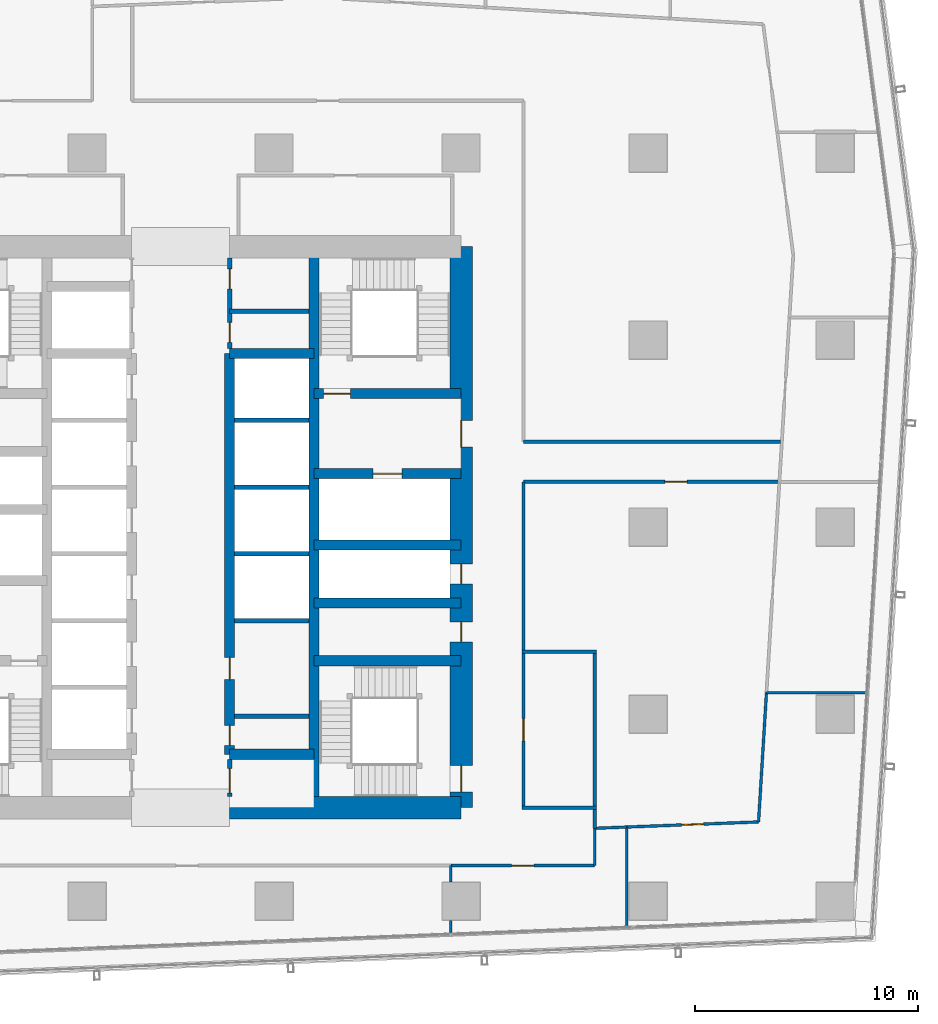
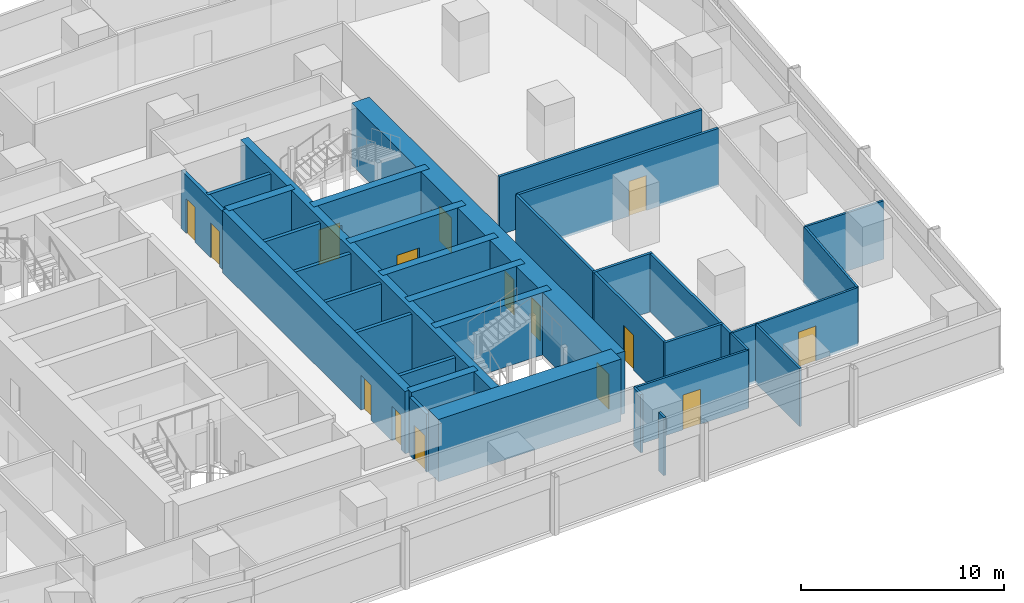
# One storey, part 30 of 40: 36 walls, 15 doors, 15 openings.
"""IFC4 building model written with IfcOpenShell, lengths in metres."""

from ifc_helpers import new_model, si_unit, direction, frame, frame_2d, origin, place, context, subcontext, project, spatial, rectangle, extrude, material, layer, layer_set, type_object, element, fill, save


model = new_model("IFC4")

# Units and contexts
model_context = context("Model", 3, precision=1e-05, world=origin(), true_north=direction((0.0, 1.0)))
body_context = subcontext(model_context, "Body", "Model", "MODEL_VIEW")
ifc_project = project(units=[si_unit("LENGTHUNIT", "METRE"), si_unit("AREAUNIT", "SQUARE_METRE"), si_unit("VOLUMEUNIT", "CUBIC_METRE"), si_unit("PLANEANGLEUNIT", "RADIAN"), si_unit("MASSUNIT", "GRAM", prefix="KILO")], contexts=[model_context])

# Site, building, storey
site_placement = place(None, origin())
site = spatial("IfcSite", under=ifc_project, at=site_placement, CompositionType="ELEMENT")
building_placement = place(site_placement, origin())
building = spatial("IfcBuilding", under=site, at=building_placement, Name="Rekha Terrace Tower", CompositionType="ELEMENT")
storey_placement = place(building_placement, frame((0.0, 0.0, 106.550048828125)))
storey = spatial("IfcBuildingStorey", under=building, at=storey_placement, Name="L26", CompositionType="ELEMENT", Elevation=106.550048828125)

# Wall
ifc_material_1 = material(Name="Concrete M70", Category="concrete")
ifc_layer_1 = layer(ifc_material_1, 0.449951171875)
ifc_layer_set_1 = layer_set([ifc_layer_1], Name="Concrete M70")
wall_type_1 = type_object("IfcWallType", Name="CI2 450 core internal shear wall", PredefinedType="SHEAR", material=ifc_layer_set_1)
wall_1_placement = place(storey_placement, frame((43.800048828125, 21.0, 0.0), z_axis=(0.0, 0.0, 1.0), x_axis=(0.0, 1.0, 0.0)))
element("IfcWall", 1, at=wall_1_placement, inside=storey, type_object=wall_type_1, Name="Core wall X438 L26", PredefinedType="SHEAR", context=body_context, shape_type="SweptSolid", body=[
    extrude(rectangle(XDim=25.199951171875, YDim=0.449951171875, at=frame_2d((12.60009765625, 0.0))), origin(), (0.0, 0.0, 1.0), 3.75),
])

# Wall, openings, doors
wall_2_placement = place(storey_placement, frame((40.0, 23.39990234375, 0.0), z_axis=(0.0, 0.0, 1.0), x_axis=(0.0, 1.0, 0.0)))
wall_2 = element("IfcWall", 2, at=wall_2_placement, inside=storey, type_object=wall_type_1, Name="Core wall X400 L26", PredefinedType="SHEAR", context=body_context, shape_type="SweptSolid", body=[
    extrude(rectangle(XDim=18.0, YDim=0.449951171875, at=frame_2d((9.0, 0.0))), origin(), (0.0, 0.0, 1.0), 3.75),
])
opening_1_placement = place(wall_2_placement, frame((0.39990234375, 0.0, 0.0)))
opening_1 = element("IfcOpeningElement", 3, at=opening_1_placement, cuts=wall_2, Name="Opening D5", PredefinedType="OPENING", context=body_context, shape_type="SweptSolid", body=[
    extrude(rectangle(XDim=0.89990234375, YDim=2.10009765625, at=frame_2d((0.449951171875, 1.050048828125))), frame((0.0, 0.23486328125, 0.0), z_axis=(0.0, -1.0, 0.0), x_axis=(1.0, 0.0, 0.0)), (0.0, 0.0, 1.0), 0.469970703125),
])
opening_2_placement = place(wall_2_placement, frame((3.35009765625, 0.0, 0.0)))
opening_2 = element("IfcOpeningElement", 4, at=opening_2_placement, cuts=wall_2, Name="Opening D9", PredefinedType="OPENING", context=body_context, shape_type="SweptSolid", body=[
    extrude(rectangle(XDim=1.0, YDim=2.10009765625, at=frame_2d((0.5, 1.050048828125))), frame((0.0, 0.23486328125, 0.0), z_axis=(0.0, -1.0, 0.0), x_axis=(1.0, 0.0, 0.0)), (0.0, 0.0, 1.0), 0.469970703125),
])
ifc_material_2 = material(Name="Steel fire door", Category="steel")
door_type_1 = type_object("IfcDoorType", Name="D5 900x2100 riser access door", OperationType="SINGLE_SWING_LEFT", PredefinedType="DOOR", material=ifc_material_2)
door_1_placement = place(opening_1_placement, origin())
door_1 = element("IfcDoor", 5, at=door_1_placement, inside=storey, type_object=door_type_1, Name="Door records store L26", OperationType="SINGLE_SWING_LEFT", OverallHeight=2.10009765625, OverallWidth=0.89990234375, PredefinedType="DOOR", context=body_context, shape_type="SweptSolid", body=[
    extrude(rectangle(XDim=0.89990234375, YDim=2.10009765625, at=frame_2d((0.449951171875, 1.050048828125))), frame((0.0, 0.02490234375, 0.0), z_axis=(0.0, -1.0, 0.0), x_axis=(1.0, 0.0, 0.0)), (0.0, 0.0, 1.0), 0.050048828125),
])
fill(opening_1, door_1)
ifc_material_3 = material(Name="Timber fire door", Category="wood")
door_type_2 = type_object("IfcDoorType", Name="D9 1000x2100 office door", OperationType="SINGLE_SWING_LEFT", PredefinedType="DOOR", material=ifc_material_3)
door_2_placement = place(opening_2_placement, origin())
door_2 = element("IfcDoor", 6, at=door_2_placement, inside=storey, type_object=door_type_2, Name="Door pantry and vending room L26", OperationType="SINGLE_SWING_LEFT", OverallHeight=2.10009765625, OverallWidth=1.0, PredefinedType="DOOR", context=body_context, shape_type="SweptSolid", body=[
    extrude(rectangle(XDim=1.0, YDim=2.10009765625, at=frame_2d((0.5, 1.050048828125))), frame((0.0, 0.02490234375, 0.0), z_axis=(0.0, -1.0, 0.0), x_axis=(1.0, 0.0, 0.0)), (0.0, 0.0, 1.0), 0.050048828125),
])
fill(opening_2, door_2)

# Walls
for number, where, z_axis, x_axis, name in (
    (7, (40.0, 23.39990234375, 0.0), (0.0, 0.0, 1.0), (1.0, 0.0, 0.0), "Core wall Y234E L26"),
    (8, (40.0, 41.39990234375, 0.0), (0.0, 0.0, 1.0), (1.0, 0.0, 0.0), "Core wall Y414E L26"),
):
    element("IfcWall", number, at=place(storey_placement, frame(where, z_axis=z_axis, x_axis=x_axis)), inside=storey, type_object=wall_type_1, Name=name, PredefinedType="SHEAR", context=body_context, shape_type="SweptSolid", body=[
        extrude(rectangle(XDim=3.800048828125, YDim=0.449951171875, at=frame_2d((1.89990234375, 0.0))), origin(), (0.0, 0.0, 1.0), 3.75),
    ])
for number, where, z_axis, x_axis, name in (
    (9, (43.800048828125, 27.60009765625, 0.0), (0.0, 0.0, 1.0), (1.0, 0.0, 0.0), "Core wall Y276E L26"),
    (10, (43.800048828125, 30.199951171875, 0.0), (0.0, 0.0, 1.0), (1.0, 0.0, 0.0), "Core wall Y302E L26"),
    (11, (43.800048828125, 32.800048828125, 0.0), (0.0, 0.0, 1.0), (1.0, 0.0, 0.0), "Core wall Y328E L26"),
):
    element("IfcWall", number, at=place(storey_placement, frame(where, z_axis=z_axis, x_axis=x_axis)), inside=storey, type_object=wall_type_1, Name=name, PredefinedType="SHEAR", context=body_context, shape_type="SweptSolid", body=[
        extrude(rectangle(XDim=6.599853515625, YDim=0.449951171875, at=frame_2d((3.2998046875, 0.0))), origin(), (0.0, 0.0, 1.0), 3.75),
    ])

# Wall, opening, door
wall_3_placement = place(storey_placement, frame((43.800048828125, 36.0, 0.0), z_axis=(0.0, 0.0, 1.0), x_axis=(1.0, 0.0, 0.0)))
wall_3 = element("IfcWall", 12, at=wall_3_placement, inside=storey, type_object=wall_type_1, Name="Core wall Y360E L26", PredefinedType="SHEAR", context=body_context, shape_type="SweptSolid", body=[
    extrude(rectangle(XDim=6.599853515625, YDim=0.449951171875, at=frame_2d((3.2998046875, 0.0))), origin(), (0.0, 0.0, 1.0), 3.75),
])
opening_3_placement = place(wall_3_placement, frame((2.64990234375, 0.0, 0.0)))
opening_3 = element("IfcOpeningElement", 13, at=opening_3_placement, cuts=wall_3, Name="Opening LD2", PredefinedType="OPENING", context=body_context, shape_type="SweptSolid", body=[
    extrude(rectangle(XDim=1.300048828125, YDim=2.10009765625, at=frame_2d((0.64990234375, 1.050048828125))), frame((0.0, 0.23486328125, 0.0), z_axis=(0.0, -1.0, 0.0), x_axis=(1.0, 0.0, 0.0)), (0.0, 0.0, 1.0), 0.469970703125),
])
ifc_material_4 = material(Name="Stainless steel sliding landing door", Category="steel")
door_type_3 = type_object("IfcDoorType", Name="LD2 1300x2100 fire lift landing door", OperationType="SLIDING_TO_LEFT", PredefinedType="USERDEFINED", material=ifc_material_4)
door_3_placement = place(opening_3_placement, origin())
door_3 = element("IfcDoor", 14, at=door_3_placement, inside=storey, type_object=door_type_3, Name="Lift FL2 landing door L26", ObjectType="LIFT LANDING DOOR", OperationType="SLIDING_TO_LEFT", OverallHeight=2.10009765625, OverallWidth=1.300048828125, PredefinedType="USERDEFINED", context=body_context, shape_type="SweptSolid", body=[
    extrude(rectangle(XDim=1.300048828125, YDim=2.10009765625, at=frame_2d((0.64990234375, 1.050048828125))), frame((0.0, 0.02490234375, 0.0), z_axis=(0.0, -1.0, 0.0), x_axis=(1.0, 0.0, 0.0)), (0.0, 0.0, 1.0), 0.050048828125),
])
fill(opening_3, door_3)

wall_4_placement = place(storey_placement, frame((43.800048828125, 39.60009765625, 0.0), z_axis=(0.0, 0.0, 1.0), x_axis=(1.0, 0.0, 0.0)))
wall_4 = element("IfcWall", 15, at=wall_4_placement, inside=storey, type_object=wall_type_1, Name="Core wall Y396E L26", PredefinedType="SHEAR", context=body_context, shape_type="SweptSolid", body=[
    extrude(rectangle(XDim=6.599853515625, YDim=0.449951171875, at=frame_2d((3.2998046875, 0.0))), origin(), (0.0, 0.0, 1.0), 3.75),
])
opening_4_placement = place(wall_4_placement, frame((0.425048828125, 0.0, 0.0)))
opening_4 = element("IfcOpeningElement", 16, at=opening_4_placement, cuts=wall_4, Name="Opening D1", PredefinedType="OPENING", context=body_context, shape_type="SweptSolid", body=[
    extrude(rectangle(XDim=1.199951171875, YDim=2.10009765625, at=frame_2d((0.60009765625, 1.050048828125))), frame((0.0, 0.23486328125, 0.0), z_axis=(0.0, -1.0, 0.0), x_axis=(1.0, 0.0, 0.0)), (0.0, 0.0, 1.0), 0.469970703125),
])
door_type_4 = type_object("IfcDoorType", Name="D1 1200x2100 stair fire door", OperationType="SINGLE_SWING_RIGHT", PredefinedType="DOOR", material=ifc_material_2)
door_4_placement = place(opening_4_placement, origin())
door_4 = element("IfcDoor", 17, at=door_4_placement, inside=storey, type_object=door_type_4, Name="Stair ST2 door L26", OperationType="SINGLE_SWING_RIGHT", OverallHeight=2.10009765625, OverallWidth=1.199951171875, PredefinedType="DOOR", context=body_context, shape_type="SweptSolid", body=[
    extrude(rectangle(XDim=1.199951171875, YDim=2.10009765625, at=frame_2d((0.60009765625, 1.050048828125))), frame((0.0, 0.02490234375, 0.0), z_axis=(0.0, -1.0, 0.0), x_axis=(1.0, 0.0, 0.0)), (0.0, 0.0, 1.0), 0.050048828125),
])
fill(opening_4, door_4)

# Wall
ifc_layer_2 = layer(ifc_material_1, 1.0)
ifc_layer_set_2 = layer_set([ifc_layer_2], Name="Concrete M70")
wall_type_2 = type_object("IfcWallType", Name="SW2 1000 core outer shear wall", PredefinedType="SHEAR", material=ifc_layer_set_2)
wall_5_placement = place(storey_placement, frame((40.0, 21.0, 0.0), z_axis=(0.0, 0.0, 1.0), x_axis=(1.0, 0.0, 0.0)))
element("IfcWall", 18, at=wall_5_placement, inside=storey, type_object=wall_type_2, Name="Core wall S2 L26", PredefinedType="SHEAR", context=body_context, shape_type="SweptSolid", body=[
    extrude(rectangle(XDim=10.39990234375, YDim=1.0, at=frame_2d((5.199951171875, 0.0))), origin(), (0.0, 0.0, 1.0), 3.75),
])

# Wall, openings, doors
wall_6_placement = place(storey_placement, frame((50.39990234375, 21.0, 0.0), z_axis=(0.0, 0.0, 1.0), x_axis=(0.0, 1.0, 0.0)))
wall_6 = element("IfcWall", 19, at=wall_6_placement, inside=storey, type_object=wall_type_2, Name="Core wall E L26", PredefinedType="SHEAR", context=body_context, shape_type="SweptSolid", body=[
    extrude(rectangle(XDim=25.199951171875, YDim=1.0, at=frame_2d((12.60009765625, 0.0))), origin(), (0.0, 0.0, 1.0), 3.75),
])
opening_5_placement = place(wall_6_placement, frame((16.199951171875, 0.0, 0.0)))
opening_5 = element("IfcOpeningElement", 20, at=opening_5_placement, cuts=wall_6, Name="Opening D2", PredefinedType="OPENING", context=body_context, shape_type="SweptSolid", body=[
    extrude(rectangle(XDim=1.199951171875, YDim=2.10009765625, at=frame_2d((0.60009765625, 1.050048828125))), frame((0.0, 0.510009765625, 0.0), z_axis=(0.0, -1.0, 0.0), x_axis=(1.0, 0.0, 0.0)), (0.0, 0.0, 1.0), 1.02001953125),
])
opening_6_placement = place(wall_6_placement, frame((10.050048828125, 0.0, 0.0)))
opening_6 = element("IfcOpeningElement", 21, at=opening_6_placement, cuts=wall_6, Name="Opening D5", PredefinedType="OPENING", context=body_context, shape_type="SweptSolid", body=[
    extrude(rectangle(XDim=0.89990234375, YDim=2.10009765625, at=frame_2d((0.449951171875, 1.050048828125))), frame((0.0, 0.510009765625, 0.0), z_axis=(0.0, -1.0, 0.0), x_axis=(1.0, 0.0, 0.0)), (0.0, 0.0, 1.0), 1.02001953125),
])
opening_7_placement = place(wall_6_placement, frame((7.449951171875, 0.0, 0.0)))
opening_7 = element("IfcOpeningElement", 22, at=opening_7_placement, cuts=wall_6, Name="Opening D5", PredefinedType="OPENING", context=body_context, shape_type="SweptSolid", body=[
    extrude(rectangle(XDim=0.89990234375, YDim=2.10009765625, at=frame_2d((0.449951171875, 1.050048828125))), frame((0.0, 0.510009765625, 0.0), z_axis=(0.0, -1.0, 0.0), x_axis=(1.0, 0.0, 0.0)), (0.0, 0.0, 1.0), 1.02001953125),
])
opening_8_placement = place(wall_6_placement, frame((0.699951171875, 0.0, 0.0)))
opening_8 = element("IfcOpeningElement", 23, at=opening_8_placement, cuts=wall_6, Name="Opening D1", PredefinedType="OPENING", context=body_context, shape_type="SweptSolid", body=[
    extrude(rectangle(XDim=1.199951171875, YDim=2.10009765625, at=frame_2d((0.60009765625, 1.050048828125))), frame((0.0, 0.510009765625, 0.0), z_axis=(0.0, -1.0, 0.0), x_axis=(1.0, 0.0, 0.0)), (0.0, 0.0, 1.0), 1.02001953125),
])
door_5_placement = place(opening_8_placement, origin())
door_5 = element("IfcDoor", 24, at=door_5_placement, inside=storey, type_object=door_type_4, Name="Stair ST3 door L26", OperationType="SINGLE_SWING_RIGHT", OverallHeight=2.10009765625, OverallWidth=1.199951171875, PredefinedType="DOOR", context=body_context, shape_type="SweptSolid", body=[
    extrude(rectangle(XDim=1.199951171875, YDim=2.10009765625, at=frame_2d((0.60009765625, 1.050048828125))), frame((0.0, 0.02490234375, 0.0), z_axis=(0.0, -1.0, 0.0), x_axis=(1.0, 0.0, 0.0)), (0.0, 0.0, 1.0), 0.050048828125),
])
fill(opening_8, door_5)
door_type_5 = type_object("IfcDoorType", Name="D2 1200x2100 firefighting lobby door", OperationType="SINGLE_SWING_LEFT", PredefinedType="DOOR", material=ifc_material_2)
door_6_placement = place(opening_5_placement, origin())
door_6 = element("IfcDoor", 25, at=door_6_placement, inside=storey, type_object=door_type_5, Name="Door flb2 L26", OperationType="SINGLE_SWING_LEFT", OverallHeight=2.10009765625, OverallWidth=1.199951171875, PredefinedType="DOOR", context=body_context, shape_type="SweptSolid", body=[
    extrude(rectangle(XDim=1.199951171875, YDim=2.10009765625, at=frame_2d((0.60009765625, 1.050048828125))), frame((0.0, 0.02490234375, 0.0), z_axis=(0.0, -1.0, 0.0), x_axis=(1.0, 0.0, 0.0)), (0.0, 0.0, 1.0), 0.050048828125),
])
fill(opening_5, door_6)
door_7_placement = place(opening_6_placement, origin())
door_7 = element("IfcDoor", 26, at=door_7_placement, inside=storey, type_object=door_type_1, Name="Door rs2 L26", OperationType="SINGLE_SWING_LEFT", OverallHeight=2.10009765625, OverallWidth=0.89990234375, PredefinedType="DOOR", context=body_context, shape_type="SweptSolid", body=[
    extrude(rectangle(XDim=0.89990234375, YDim=2.10009765625, at=frame_2d((0.449951171875, 1.050048828125))), frame((0.0, 0.02490234375, 0.0), z_axis=(0.0, -1.0, 0.0), x_axis=(1.0, 0.0, 0.0)), (0.0, 0.0, 1.0), 0.050048828125),
])
fill(opening_6, door_7)
door_8_placement = place(opening_7_placement, origin())
door_8 = element("IfcDoor", 27, at=door_8_placement, inside=storey, type_object=door_type_1, Name="Door ele L26", OperationType="SINGLE_SWING_LEFT", OverallHeight=2.10009765625, OverallWidth=0.89990234375, PredefinedType="DOOR", context=body_context, shape_type="SweptSolid", body=[
    extrude(rectangle(XDim=0.89990234375, YDim=2.10009765625, at=frame_2d((0.449951171875, 1.050048828125))), frame((0.0, 0.02490234375, 0.0), z_axis=(0.0, -1.0, 0.0), x_axis=(1.0, 0.0, 0.0)), (0.0, 0.0, 1.0), 0.050048828125),
])
fill(opening_7, door_8)

# Walls
ifc_material_5 = material(Name="Concrete block masonry, 1 hour", Category="masonry")
ifc_layer_3 = layer(ifc_material_5, 0.14990234375)
ifc_layer_set_3 = layer_set([ifc_layer_3], Name="Concrete block masonry, 1 hour")
wall_type_3 = type_object("IfcWallType", Name="WP2 150 tenancy partition", PredefinedType="PARTITIONING", material=ifc_layer_set_3)
for number, where, z_axis, x_axis, name in (
    (28, (53.125, 21.0, 0.0), (0.0, 0.0, 1.0), (1.0, 0.0, 0.0), "Men's WC wall L26"),
    (29, (53.125, 28.0, 0.0), (0.0, 0.0, 1.0), (1.0, 0.0, 0.0), "Men's WC wall L26"),
):
    element("IfcWall", number, at=place(storey_placement, frame(where, z_axis=z_axis, x_axis=x_axis)), inside=storey, type_object=wall_type_3, Name=name, PredefinedType="PARTITIONING", context=body_context, shape_type="SweptSolid", body=[
        extrude(rectangle(XDim=3.35009765625, YDim=0.14990234375, at=frame_2d((1.675048828125, 0.0))), origin(), (0.0, 0.0, 1.0), 3.5),
    ])

# Wall, opening, door
wall_7_placement = place(storey_placement, frame((53.199951171875, 21.074951171875, 0.0), z_axis=(0.0, 0.0, 1.0), x_axis=(0.0, 1.0, 0.0)))
wall_7 = element("IfcWall", 30, at=wall_7_placement, inside=storey, type_object=wall_type_3, Name="Men's WC wall L26", PredefinedType="PARTITIONING", context=body_context, shape_type="SweptSolid", body=[
    extrude(rectangle(XDim=6.85009765625, YDim=0.14990234375, at=frame_2d((3.425048828125, 0.0))), origin(), (0.0, 0.0, 1.0), 3.5),
])
opening_9_placement = place(wall_7_placement, frame((2.925048828125, 0.0, 0.0)))
opening_9 = element("IfcOpeningElement", 31, at=opening_9_placement, cuts=wall_7, Name="Opening D3", PredefinedType="OPENING", context=body_context, shape_type="SweptSolid", body=[
    extrude(rectangle(XDim=1.0, YDim=2.10009765625, at=frame_2d((0.5, 1.050048828125))), frame((0.0, 0.0849609375, 0.0), z_axis=(0.0, -1.0, 0.0), x_axis=(1.0, 0.0, 0.0)), (0.0, 0.0, 1.0), 0.169921875),
])
ifc_material_6 = material(Name="Laminated timber fire door", Category="wood")
door_type_6 = type_object("IfcDoorType", Name="D3 1000x2100 WC door", OperationType="SINGLE_SWING_LEFT", PredefinedType="DOOR", material=ifc_material_6)
door_9_placement = place(opening_9_placement, origin())
door_9 = element("IfcDoor", 32, at=door_9_placement, inside=storey, type_object=door_type_6, Name="Door men's wc L26", OperationType="SINGLE_SWING_LEFT", OverallHeight=2.10009765625, OverallWidth=1.0, PredefinedType="DOOR", context=body_context, shape_type="SweptSolid", body=[
    extrude(rectangle(XDim=1.0, YDim=2.10009765625, at=frame_2d((0.5, 1.050048828125))), frame((0.0, 0.02490234375, 0.0), z_axis=(0.0, -1.0, 0.0), x_axis=(1.0, 0.0, 0.0)), (0.0, 0.0, 1.0), 0.050048828125),
])
fill(opening_9, door_9)

# Walls
wall_8_placement = place(storey_placement, frame((56.39990234375, 21.074951171875, 0.0), z_axis=(0.0, 0.0, 1.0), x_axis=(0.0, 1.0, 0.0)))
element("IfcWall", 33, at=wall_8_placement, inside=storey, type_object=wall_type_3, Name="Men's WC wall L26", PredefinedType="PARTITIONING", context=body_context, shape_type="SweptSolid", body=[
    extrude(rectangle(XDim=6.85009765625, YDim=0.14990234375, at=frame_2d((3.425048828125, 0.0))), origin(), (0.0, 0.0, 1.0), 3.5),
])
wall_9_placement = place(storey_placement, frame((64.741943359375, 37.43701171875, 0.0), z_axis=(0.0, 0.0, 1.0), x_axis=(-1.0, 0.0, 0.0)))
element("IfcWall", 34, at=wall_9_placement, inside=storey, type_object=wall_type_3, Name="Partition L26-O1", PredefinedType="PARTITIONING", context=body_context, shape_type="SweptSolid", body=[
    extrude(rectangle(XDim=11.5419921875, YDim=0.14990234375, at=frame_2d((5.77099609375, 0.0))), origin(), (0.0, 0.0, 1.0), 3.5),
])
wall_10_placement = place(storey_placement, frame((56.39990234375, 20.073974609375, 0.0), z_axis=(0.0, 0.0, 1.0), x_axis=(0.0, 1.0, 0.0)))
element("IfcWall", 35, at=wall_10_placement, inside=storey, type_object=wall_type_3, Name="Partition L26-O1b", PredefinedType="PARTITIONING", context=body_context, shape_type="SweptSolid", body=[
    extrude(rectangle(XDim=0.85107421875, YDim=0.14990234375, at=frame_2d((0.425537109375, 0.0))), origin(), (0.0, 0.0, 1.0), 3.5),
])
wall_11_placement = place(storey_placement, frame((53.199951171875, 28.074951171875, 0.0), z_axis=(0.0, 0.0, 1.0), x_axis=(0.0, 1.0, 0.0)))
element("IfcWall", 36, at=wall_11_placement, inside=storey, type_object=wall_type_3, Name="Partition L26-O1b", PredefinedType="PARTITIONING", context=body_context, shape_type="SweptSolid", body=[
    extrude(rectangle(XDim=7.56201171875, YDim=0.14990234375, at=frame_2d((3.781005859375, 0.0))), origin(), (0.0, 0.0, 1.0), 3.5),
])

# Wall, opening, door
wall_12_placement = place(storey_placement, frame((53.199951171875, 35.636962890625, 0.0), z_axis=(0.0, 0.0, 1.0), x_axis=(1.0, 0.0, 0.0)))
wall_12 = element("IfcWall", 37, at=wall_12_placement, inside=storey, type_object=wall_type_3, Name="Partition L26-O1b", PredefinedType="PARTITIONING", context=body_context, shape_type="SweptSolid", body=[
    extrude(rectangle(XDim=11.445068359375, YDim=0.14990234375, at=frame_2d((5.72265625, 0.0))), origin(), (0.0, 0.0, 1.0), 3.5),
])
opening_10_placement = place(wall_12_placement, frame((6.346923828125, 0.0, 0.0)))
opening_10 = element("IfcOpeningElement", 38, at=opening_10_placement, cuts=wall_12, Name="Opening D9", PredefinedType="OPENING", context=body_context, shape_type="SweptSolid", body=[
    extrude(rectangle(XDim=1.0, YDim=2.10009765625, at=frame_2d((0.5, 1.050048828125))), frame((0.0, 0.0849609375, 0.0), z_axis=(0.0, -1.0, 0.0), x_axis=(1.0, 0.0, 0.0)), (0.0, 0.0, 1.0), 0.169921875),
])
door_10_placement = place(opening_10_placement, origin())
door_10 = element("IfcDoor", 39, at=door_10_placement, inside=storey, type_object=door_type_2, Name="Door open-plan office L26", OperationType="SINGLE_SWING_LEFT", OverallHeight=2.10009765625, OverallWidth=1.0, PredefinedType="DOOR", context=body_context, shape_type="SweptSolid", body=[
    extrude(rectangle(XDim=1.0, YDim=2.10009765625, at=frame_2d((0.5, 1.050048828125))), frame((0.0, 0.02490234375, 0.0), z_axis=(0.0, -1.0, 0.0), x_axis=(1.0, 0.0, 0.0)), (0.0, 0.0, 1.0), 0.050048828125),
])
fill(opening_10, door_10)

ifc_material_7 = material(Name="Two layers of fire-rated gypsum board each side on steel studs, acoustic quilt, 1 hour", Category="steel")
ifc_layer_4 = layer(ifc_material_7, 0.125)
ifc_layer_set_4 = layer_set([ifc_layer_4], Name="Two layers of fire-rated gypsum board each side on steel studs, acoustic quilt, 1 hour")
wall_type_4 = type_object("IfcWallType", Name="WP3 125 office partition", PredefinedType="PARTITIONING", material=ifc_layer_set_4)
wall_13_placement = place(storey_placement, frame((49.93701171875, 18.39990234375, 0.0), z_axis=(0.0, 0.0, 1.0), x_axis=(1.0, 0.0, 0.0)))
wall_13 = element("IfcWall", 40, at=wall_13_placement, inside=storey, type_object=wall_type_4, Name="Partition L26-02", PredefinedType="PARTITIONING", context=body_context, shape_type="SweptSolid", body=[
    extrude(rectangle(XDim=6.462890625, YDim=0.125, at=frame_2d((3.2314453125, 0.0))), origin(), (0.0, 0.0, 1.0), 3.5),
])
opening_11_placement = place(wall_13_placement, frame((2.73095703125, 0.0, 0.0)))
opening_11 = element("IfcOpeningElement", 41, at=opening_11_placement, cuts=wall_13, Name="Opening D9", PredefinedType="OPENING", context=body_context, shape_type="SweptSolid", body=[
    extrude(rectangle(XDim=1.0, YDim=2.10009765625, at=frame_2d((0.5, 1.050048828125))), frame((0.0, 0.072509765625, 0.0), z_axis=(0.0, -1.0, 0.0), x_axis=(1.0, 0.0, 0.0)), (0.0, 0.0, 1.0), 0.14501953125),
])
door_11_placement = place(opening_11_placement, origin())
door_11 = element("IfcDoor", 42, at=door_11_placement, inside=storey, type_object=door_type_2, Name="Door meeting room L26", OperationType="SINGLE_SWING_LEFT", OverallHeight=2.10009765625, OverallWidth=1.0, PredefinedType="DOOR", context=body_context, shape_type="SweptSolid", body=[
    extrude(rectangle(XDim=1.0, YDim=2.10009765625, at=frame_2d((0.5, 1.050048828125))), frame((0.0, 0.02490234375, 0.0), z_axis=(0.0, -1.0, 0.0), x_axis=(1.0, 0.0, 0.0)), (0.0, 0.0, 1.0), 0.050048828125),
])
fill(opening_11, door_11)

# Walls
wall_14_placement = place(storey_placement, frame((56.39990234375, 18.39990234375, 0.0), z_axis=(0.0, 0.0, 1.0), x_axis=(0.0, 1.0, 0.0)))
element("IfcWall", 43, at=wall_14_placement, inside=storey, type_object=wall_type_4, Name="Partition L26-02", PredefinedType="PARTITIONING", context=body_context, shape_type="SweptSolid", body=[
    extrude(rectangle(XDim=1.674072265625, YDim=0.125, at=frame_2d((0.8369140625, 0.0))), origin(), (0.0, 0.0, 1.0), 3.5),
])
wall_15_placement = place(storey_placement, frame((56.39990234375, 20.073974609375, 0.0), z_axis=(0.0, 0.0, 1.0), x_axis=(0.999242997058, 0.038902864047, 0.0)))
element("IfcWall", 44, at=wall_15_placement, inside=storey, type_object=wall_type_4, Name="Partition L26-02", PredefinedType="PARTITIONING", context=body_context, shape_type="SweptSolid", body=[
    extrude(rectangle(XDim=1.43701171875, YDim=0.125, at=frame_2d((0.718505859375, 0.0))), origin(), (0.0, 0.0, 1.0), 3.5),
])
wall_16_placement = place(storey_placement, frame((57.8359375, 20.1298828125, 0.0), z_axis=(0.0, 0.0, 1.0), x_axis=(0.0, -1.0, 0.0)))
element("IfcWall", 45, at=wall_16_placement, inside=storey, type_object=wall_type_4, Name="Partition L26-02", PredefinedType="PARTITIONING", context=body_context, shape_type="SweptSolid", body=[
    extrude(rectangle(XDim=4.423828125, YDim=0.125, at=frame_2d((2.2119140625, 0.0))), origin(), (0.0, 0.0, 1.0), 3.5),
])
wall_17_placement = place(storey_placement, frame((49.93701171875, 15.39892578125, 0.0), z_axis=(0.0, 0.0, 1.0), x_axis=(0.0, 1.0, 0.0)))
element("IfcWall", 46, at=wall_17_placement, inside=storey, type_object=wall_type_4, Name="Partition L26-02", PredefinedType="PARTITIONING", context=body_context, shape_type="SweptSolid", body=[
    extrude(rectangle(XDim=0.531005859375, YDim=0.125, at=frame_2d((0.265625, 0.0))), origin(), (0.0, 0.0, 1.0), 3.5),
])
wall_18_placement = place(storey_placement, frame((49.93701171875, 17.669921875, 0.0), z_axis=(0.0, 0.0, 1.0), x_axis=(0.0, 1.0, 0.0)))
element("IfcWall", 47, at=wall_18_placement, inside=storey, type_object=wall_type_4, Name="Partition L26-02", PredefinedType="PARTITIONING", context=body_context, shape_type="SweptSolid", body=[
    extrude(rectangle(XDim=0.72998046875, YDim=0.125, at=frame_2d((0.364990234375, 0.0))), origin(), (0.0, 0.0, 1.0), 3.5),
])

# Wall, opening, door
wall_19_placement = place(storey_placement, frame((57.8369140625, 20.1298828125, 0.0), z_axis=(0.0, 0.0, 1.0), x_axis=(0.999244959279, 0.038852430487, 0.0)))
wall_19 = element("IfcWall", 48, at=wall_19_placement, inside=storey, type_object=wall_type_4, Name="Partition L26-03", PredefinedType="PARTITIONING", context=body_context, shape_type="SweptSolid", body=[
    extrude(rectangle(XDim=5.925537109375, YDim=0.125, at=frame_2d((2.962890625, 0.0))), origin(), (0.0, 0.0, 1.0), 3.5),
])
opening_12_placement = place(wall_19_placement, frame((2.462890625, 0.0, 0.0)))
opening_12 = element("IfcOpeningElement", 49, at=opening_12_placement, cuts=wall_19, Name="Opening D9", PredefinedType="OPENING", context=body_context, shape_type="SweptSolid", body=[
    extrude(rectangle(XDim=1.0, YDim=2.10009765625, at=frame_2d((0.5, 1.050048828125))), frame((0.0, 0.072509765625, 0.0), z_axis=(0.0, -1.0, 0.0), x_axis=(1.0, 0.0, 0.0)), (0.0, 0.0, 1.0), 0.14501953125),
])
door_12_placement = place(opening_12_placement, origin())
door_12 = element("IfcDoor", 50, at=door_12_placement, inside=storey, type_object=door_type_2, Name="Door manager's office L26", OperationType="SINGLE_SWING_LEFT", OverallHeight=2.10009765625, OverallWidth=1.0, PredefinedType="DOOR", context=body_context, shape_type="SweptSolid", body=[
    extrude(rectangle(XDim=1.0, YDim=2.10009765625, at=frame_2d((0.5, 1.050048828125))), frame((0.0, 0.02490234375, 0.0), z_axis=(0.0, -1.0, 0.0), x_axis=(1.0, 0.0, 0.0)), (0.0, 0.0, 1.0), 0.050048828125),
])
fill(opening_12, door_12)

# Walls
wall_20_placement = place(storey_placement, frame((63.758056640625, 20.360107421875, 0.0), z_axis=(0.0, 0.0, 1.0), x_axis=(0.06119454608, 0.99812585756, 0.0)))
element("IfcWall", 51, at=wall_20_placement, inside=storey, type_object=wall_type_4, Name="Partition L26-03", PredefinedType="PARTITIONING", context=body_context, shape_type="SweptSolid", body=[
    extrude(rectangle(XDim=5.81689453125, YDim=0.125, at=frame_2d((2.908447265625, 0.0))), origin(), (0.0, 0.0, 1.0), 3.5),
])
wall_21_placement = place(storey_placement, frame((64.114013671875, 26.166015625, 0.0), z_axis=(0.0, 0.0, 1.0), x_axis=(1.0, 0.0, 0.0)))
element("IfcWall", 52, at=wall_21_placement, inside=storey, type_object=wall_type_4, Name="Partition L26-03", PredefinedType="PARTITIONING", context=body_context, shape_type="SweptSolid", body=[
    extrude(rectangle(XDim=4.4580078125, YDim=0.125, at=frame_2d((2.22900390625, 0.0))), origin(), (0.0, 0.0, 1.0), 3.5),
])
ifc_material_8 = material(Name="Solid concrete block masonry, 2 hour", Category="masonry")
ifc_layer_5 = layer(ifc_material_8, 0.199951171875)
ifc_layer_set_5 = layer_set([ifc_layer_5], Name="Solid concrete block masonry, 2 hour")
wall_type_5 = type_object("IfcWallType", Name="WS1 200 stair and shaft enclosure", PredefinedType="PARTITIONING", material=ifc_layer_set_5)
for number, where, z_axis, x_axis, name in (
    (53, (40.22509765625, 29.39990234375, 0.0), (0.0, 0.0, 1.0), (1.0, 0.0, 0.0), "Lift shaft divider L26"),
    (54, (40.22509765625, 32.39990234375, 0.0), (0.0, 0.0, 1.0), (1.0, 0.0, 0.0), "Lift shaft divider L26"),
    (55, (40.22509765625, 35.39990234375, 0.0), (0.0, 0.0, 1.0), (1.0, 0.0, 0.0), "Lift shaft divider L26"),
    (56, (40.22509765625, 38.39990234375, 0.0), (0.0, 0.0, 1.0), (1.0, 0.0, 0.0), "Lift shaft divider L26"),
):
    element("IfcWall", number, at=place(storey_placement, frame(where, z_axis=z_axis, x_axis=x_axis)), inside=storey, type_object=wall_type_5, Name=name, PredefinedType="PARTITIONING", context=body_context, shape_type="SweptSolid", body=[
        extrude(rectangle(XDim=3.349853515625, YDim=0.199951171875, at=frame_2d((1.6748046875, 0.0))), origin(), (0.0, 0.0, 1.0), 3.5),
    ])

# Wall, opening, door
wall_22_placement = place(storey_placement, frame((40.0, 21.5, 0.0), z_axis=(0.0, 0.0, 1.0), x_axis=(0.0, 1.0, 0.0)))
wall_22 = element("IfcWall", 57, at=wall_22_placement, inside=storey, type_object=wall_type_5, Name="Core partition wca L26", PredefinedType="PARTITIONING", context=body_context, shape_type="SweptSolid", body=[
    extrude(rectangle(XDim=1.675048828125, YDim=0.199951171875, at=frame_2d((0.83740234375, 0.0))), origin(), (0.0, 0.0, 1.0), 3.5),
])
opening_13_placement = place(wall_22_placement, frame((0.14990234375, 0.0, 0.0)))
opening_13 = element("IfcOpeningElement", 58, at=opening_13_placement, cuts=wall_22, Name="Opening D4", PredefinedType="OPENING", context=body_context, shape_type="SweptSolid", body=[
    extrude(rectangle(XDim=1.10009765625, YDim=2.10009765625, at=frame_2d((0.550048828125, 1.050048828125))), frame((0.0, 0.10986328125, 0.0), z_axis=(0.0, -1.0, 0.0), x_axis=(1.0, 0.0, 0.0)), (0.0, 0.0, 1.0), 0.219970703125),
])
door_type_7 = type_object("IfcDoorType", Name="D4 1100x2100 accessible WC door", OperationType="SLIDING_TO_LEFT", PredefinedType="DOOR", material=ifc_material_6)
door_13_placement = place(opening_13_placement, origin())
door_13 = element("IfcDoor", 59, at=door_13_placement, inside=storey, type_object=door_type_7, Name="Door wca L26", OperationType="SLIDING_TO_LEFT", OverallHeight=2.10009765625, OverallWidth=1.10009765625, PredefinedType="DOOR", context=body_context, shape_type="SweptSolid", body=[
    extrude(rectangle(XDim=1.10009765625, YDim=2.10009765625, at=frame_2d((0.550048828125, 1.050048828125))), frame((0.0, 0.02490234375, 0.0), z_axis=(0.0, -1.0, 0.0), x_axis=(1.0, 0.0, 0.0)), (0.0, 0.0, 1.0), 0.050048828125),
])
fill(opening_13, door_13)

# Wall, openings, doors
wall_23_placement = place(storey_placement, frame((40.0, 41.625, 0.0), z_axis=(0.0, 0.0, 1.0), x_axis=(0.0, 1.0, 0.0)))
wall_23 = element("IfcWall", 60, at=wall_23_placement, inside=storey, type_object=wall_type_5, Name="Core partition elec L26", PredefinedType="PARTITIONING", context=body_context, shape_type="SweptSolid", body=[
    extrude(rectangle(XDim=4.074951171875, YDim=0.199951171875, at=frame_2d((2.03759765625, 0.0))), origin(), (0.0, 0.0, 1.0), 3.5),
])
opening_14_placement = place(wall_23_placement, frame((2.675048828125, 0.0, 0.0)))
opening_14 = element("IfcOpeningElement", 61, at=opening_14_placement, cuts=wall_23, Name="Opening D5", PredefinedType="OPENING", context=body_context, shape_type="SweptSolid", body=[
    extrude(rectangle(XDim=0.89990234375, YDim=2.10009765625, at=frame_2d((0.449951171875, 1.050048828125))), frame((0.0, 0.10986328125, 0.0), z_axis=(0.0, -1.0, 0.0), x_axis=(1.0, 0.0, 0.0)), (0.0, 0.0, 1.0), 0.219970703125),
])
opening_15_placement = place(wall_23_placement, frame((0.27490234375, 0.0, 0.0)))
opening_15 = element("IfcOpeningElement", 62, at=opening_15_placement, cuts=wall_23, Name="Opening D5", PredefinedType="OPENING", context=body_context, shape_type="SweptSolid", body=[
    extrude(rectangle(XDim=0.89990234375, YDim=2.10009765625, at=frame_2d((0.449951171875, 1.050048828125))), frame((0.0, 0.10986328125, 0.0), z_axis=(0.0, -1.0, 0.0), x_axis=(1.0, 0.0, 0.0)), (0.0, 0.0, 1.0), 0.219970703125),
])
door_14_placement = place(opening_14_placement, origin())
door_14 = element("IfcDoor", 63, at=door_14_placement, inside=storey, type_object=door_type_1, Name="Door electrical room L26", OperationType="SINGLE_SWING_LEFT", OverallHeight=2.10009765625, OverallWidth=0.89990234375, PredefinedType="DOOR", context=body_context, shape_type="SweptSolid", body=[
    extrude(rectangle(XDim=0.89990234375, YDim=2.10009765625, at=frame_2d((0.449951171875, 1.050048828125))), frame((0.0, 0.02490234375, 0.0), z_axis=(0.0, -1.0, 0.0), x_axis=(1.0, 0.0, 0.0)), (0.0, 0.0, 1.0), 0.050048828125),
])
fill(opening_14, door_14)
door_15_placement = place(opening_15_placement, origin())
door_15 = element("IfcDoor", 64, at=door_15_placement, inside=storey, type_object=door_type_1, Name="Door stationery store L26", OperationType="SINGLE_SWING_LEFT", OverallHeight=2.10009765625, OverallWidth=0.89990234375, PredefinedType="DOOR", context=body_context, shape_type="SweptSolid", body=[
    extrude(rectangle(XDim=0.89990234375, YDim=2.10009765625, at=frame_2d((0.449951171875, 1.050048828125))), frame((0.0, 0.02490234375, 0.0), z_axis=(0.0, -1.0, 0.0), x_axis=(1.0, 0.0, 0.0)), (0.0, 0.0, 1.0), 0.050048828125),
])
fill(opening_15, door_15)

# Walls
wall_24_placement = place(storey_placement, frame((40.22509765625, 25.10009765625, 0.0), z_axis=(0.0, 0.0, 1.0), x_axis=(1.0, 0.0, 0.0)))
element("IfcWall", 65, at=wall_24_placement, inside=storey, type_object=wall_type_5, Name="Core partition freed shafts L26", PredefinedType="PARTITIONING", context=body_context, shape_type="SweptSolid", body=[
    extrude(rectangle(XDim=3.349853515625, YDim=0.199951171875, at=frame_2d((1.6748046875, 0.0))), origin(), (0.0, 0.0, 1.0), 3.5),
])
wall_25_placement = place(storey_placement, frame((40.0, 43.300048828125, 0.0), z_axis=(0.0, 0.0, 1.0), x_axis=(1.0, 0.0, 0.0)))
element("IfcWall", 66, at=wall_25_placement, inside=storey, type_object=wall_type_5, Name="Core partition elx L26", PredefinedType="PARTITIONING", context=body_context, shape_type="SweptSolid", body=[
    extrude(rectangle(XDim=3.574951171875, YDim=0.199951171875, at=frame_2d((1.78759765625, 0.0))), origin(), (0.0, 0.0, 1.0), 3.5),
])

save(model, "model.ifc")
